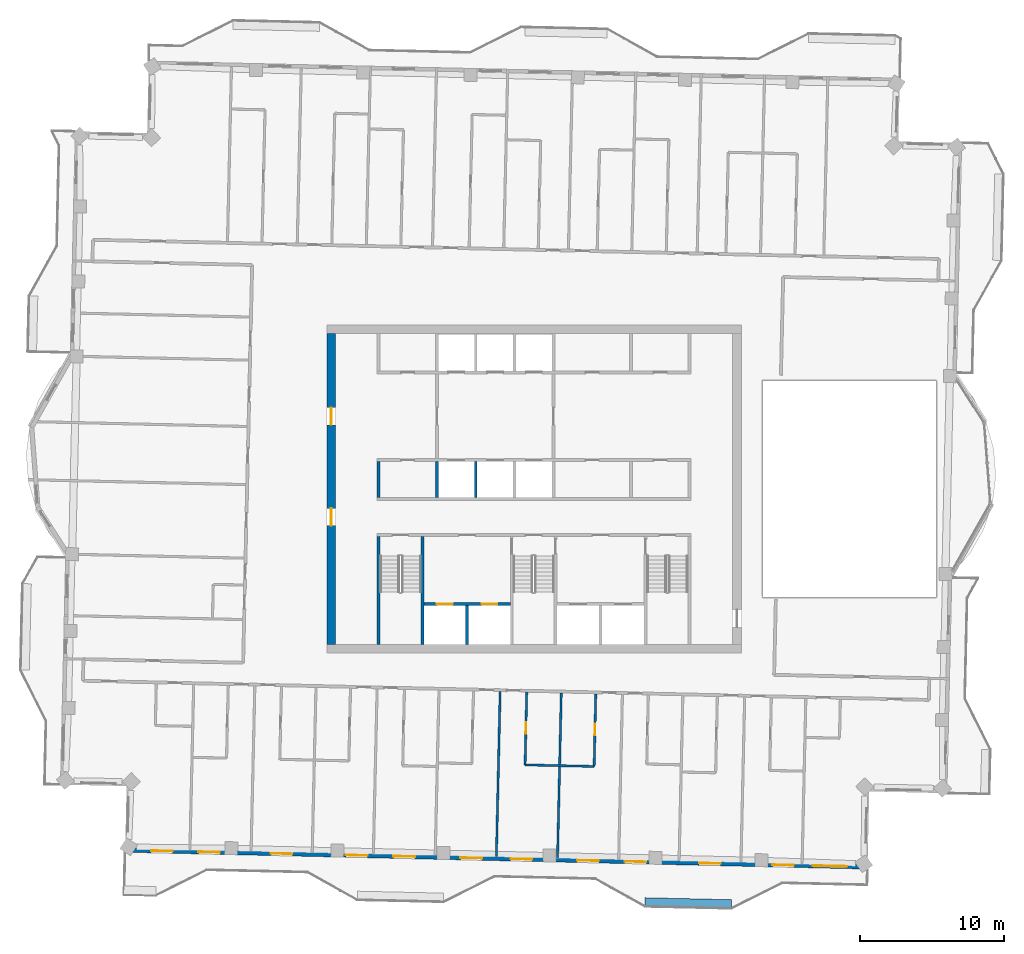
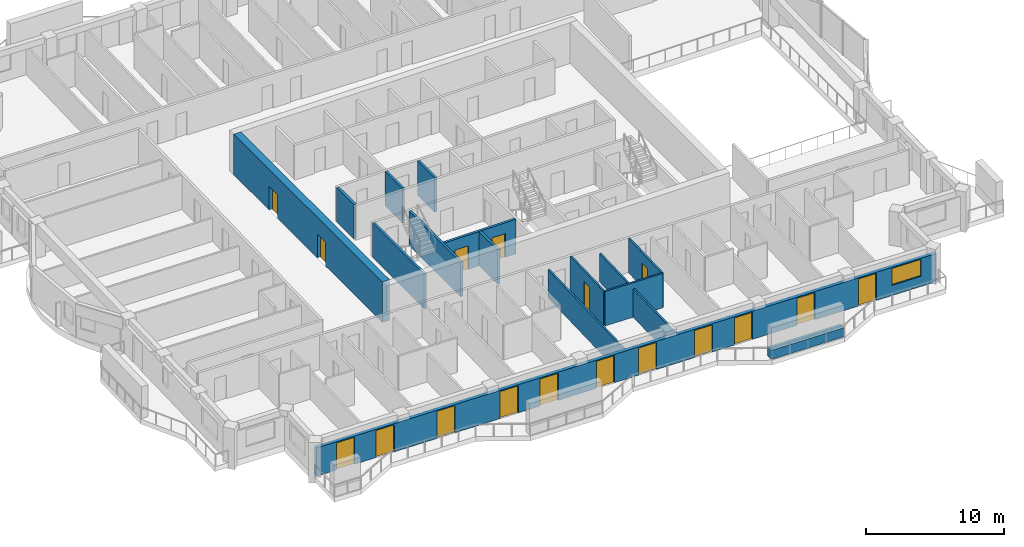
# One storey, part 5 of 15: 17 doors, 15 walls, 1 window, 18 openings.
"""IFC4 building model written with IfcOpenShell, lengths in metres."""

from ifc_helpers import new_model, si_unit, direction, frame, frame_2d, origin, place, context, subcontext, project, spatial, rectangle, extrude, material, layer, layer_set, type_object, element, fill, save


model = new_model("IFC4")

# Units and contexts
model_context = context("Model", 3, precision=1e-05, world=origin(), true_north=direction((0.0, 1.0)))
body_context = subcontext(model_context, "Body", "Model", "MODEL_VIEW")
ifc_project = project(units=[si_unit("LENGTHUNIT", "METRE"), si_unit("AREAUNIT", "SQUARE_METRE"), si_unit("VOLUMEUNIT", "CUBIC_METRE"), si_unit("PLANEANGLEUNIT", "RADIAN"), si_unit("MASSUNIT", "GRAM", prefix="KILO")], contexts=[model_context])

# Site, building, storey
site_placement = place(None, origin())
site = spatial("IfcSite", under=ifc_project, at=site_placement, CompositionType="ELEMENT")
building_placement = place(site_placement, origin())
building = spatial("IfcBuilding", under=site, at=building_placement, Name="Mangrove Gate Tower", CompositionType="ELEMENT")
storey_placement = place(building_placement, frame((0.0, 0.0, 309.699951171875)))
storey = spatial("IfcBuildingStorey", under=building, at=storey_placement, Name="L79", CompositionType="ELEMENT", Elevation=309.699951171875)

# Wall
ifc_material_1 = material(Name="Concrete C32/40", Category="concrete")
ifc_layer_1 = layer(ifc_material_1, 0.199951171875)
ifc_layer_set_1 = layer_set([ifc_layer_1], Name="Core room wall 200 C32/40")
wall_type_1 = type_object("IfcWallType", Name="Core room wall 200 C32/40", PredefinedType="STANDARD", material=ifc_layer_set_1)
wall_1_placement = place(storey_placement, frame((-10.800048828125, -0.60009765625, 0.0), z_axis=(0.0, 0.0, 1.0), x_axis=(0.0, 1.0, 0.0)))
element("IfcWall", 1, at=wall_1_placement, inside=storey, type_object=wall_type_1, Name="WALL-L79-CORE-19", PredefinedType="STANDARD", context=body_context, shape_type="SweptSolid", body=[
    extrude(rectangle(XDim=2.5, YDim=0.199951171875, at=frame_2d((1.25, 0.0))), origin(), (0.0, 0.0, 1.0), 3.050048828125),
])

# Wall, openings, doors
ifc_material_2 = material(Name="Concrete C50/60", Category="concrete")
ifc_layer_2 = layer(ifc_material_2, 0.199951171875)
ifc_layer_set_2 = layer_set([ifc_layer_2], Name="Core shaft wall 200 C50/60")
wall_type_2 = type_object("IfcWallType", Name="Core shaft wall 200 C50/60", PredefinedType="SHEAR", material=ifc_layer_set_2)
wall_2_placement = place(storey_placement, frame((-7.64990234375, -8.0, 0.0), z_axis=(0.0, 0.0, 1.0), x_axis=(1.0, 0.0, 0.0)))
wall_2 = element("IfcWall", 2, at=wall_2_placement, inside=storey, type_object=wall_type_2, Name="WALL-L79-CORE-15", PredefinedType="SHEAR", context=body_context, shape_type="SweptSolid", body=[
    extrude(rectangle(XDim=6.0, YDim=0.199951171875, at=frame_2d((3.0, 0.0))), origin(), (0.0, 0.0, 1.0), 3.050048828125),
])
opening_1_placement = place(wall_2_placement, frame((0.89990234375, 0.0, 0.0)))
opening_1 = element("IfcOpeningElement", 3, at=opening_1_placement, cuts=wall_2, Name="Opening LD", PredefinedType="OPENING", context=body_context, shape_type="SweptSolid", body=[
    extrude(rectangle(XDim=1.10009765625, YDim=2.10009765625, at=frame_2d((0.550048828125, 1.050048828125))), frame((0.0, 0.10986328125, 0.0), z_axis=(0.0, -1.0, 0.0), x_axis=(1.0, 0.0, 0.0)), (0.0, 0.0, 1.0), 0.219970703125),
])
opening_2_placement = place(wall_2_placement, frame((4.0, 0.0, 0.0)))
opening_2 = element("IfcOpeningElement", 4, at=opening_2_placement, cuts=wall_2, Name="Opening LD", PredefinedType="OPENING", context=body_context, shape_type="SweptSolid", body=[
    extrude(rectangle(XDim=1.10009765625, YDim=2.10009765625, at=frame_2d((0.550048828125, 1.050048828125))), frame((0.0, 0.10986328125, 0.0), z_axis=(0.0, -1.0, 0.0), x_axis=(1.0, 0.0, 0.0)), (0.0, 0.0, 1.0), 0.219970703125),
])
ifc_material_3 = material(Name="Stainless steel 316", Category="steel")
door_type_1 = type_object("IfcDoorType", Name="Lift landing door 1100x2100", OperationType="SLIDING_TO_LEFT", PredefinedType="DOOR", material=ifc_material_3)
door_1_placement = place(opening_1_placement, origin())
door_1 = element("IfcDoor", 5, at=door_1_placement, inside=storey, type_object=door_type_1, Name="Landing door LD SVL1", OperationType="SLIDING_TO_LEFT", OverallHeight=2.10009765625, OverallWidth=1.10009765625, PredefinedType="DOOR", context=body_context, shape_type="SweptSolid", body=[
    extrude(rectangle(XDim=1.10009765625, YDim=2.10009765625, at=frame_2d((0.550048828125, 1.050048828125))), frame((0.0, 0.02490234375, 0.0), z_axis=(0.0, -1.0, 0.0), x_axis=(1.0, 0.0, 0.0)), (0.0, 0.0, 1.0), 0.050048828125),
])
fill(opening_1, door_1)
door_2_placement = place(opening_2_placement, origin())
door_2 = element("IfcDoor", 6, at=door_2_placement, inside=storey, type_object=door_type_1, Name="Landing door LD SVL2", OperationType="SLIDING_TO_LEFT", OverallHeight=2.10009765625, OverallWidth=1.10009765625, PredefinedType="DOOR", context=body_context, shape_type="SweptSolid", body=[
    extrude(rectangle(XDim=1.10009765625, YDim=2.10009765625, at=frame_2d((0.550048828125, 1.050048828125))), frame((0.0, 0.02490234375, 0.0), z_axis=(0.0, -1.0, 0.0), x_axis=(1.0, 0.0, 0.0)), (0.0, 0.0, 1.0), 0.050048828125),
])
fill(opening_2, door_2)

# Walls
wall_3_placement = place(storey_placement, frame((-4.64990234375, -10.800048828125, 0.0), z_axis=(0.0, 0.0, 1.0), x_axis=(0.0, 1.0, 0.0)))
element("IfcWall", 7, at=wall_3_placement, inside=storey, type_object=wall_type_2, Name="WALL-L79-CORE-16", PredefinedType="SHEAR", context=body_context, shape_type="SweptSolid", body=[
    extrude(rectangle(XDim=2.699951171875, YDim=0.199951171875, at=frame_2d((1.35009765625, 0.0))), origin(), (0.0, 0.0, 1.0), 3.050048828125),
])
for number, where, z_axis, x_axis, name in (
    (8, (-6.75, -0.60009765625, 0.0), (0.0, 0.0, 1.0), (0.0, 1.0, 0.0), "WALL-L79-CORE-20"),
    (9, (-4.050048828125, -0.60009765625, 0.0), (0.0, 0.0, 1.0), (0.0, 1.0, 0.0), "WALL-L79-CORE-21"),
):
    element("IfcWall", number, at=place(storey_placement, frame(where, z_axis=z_axis, x_axis=x_axis)), inside=storey, type_object=wall_type_2, Name=name, PredefinedType="SHEAR", context=body_context, shape_type="SweptSolid", body=[
        extrude(rectangle(XDim=2.5, YDim=0.199951171875, at=frame_2d((1.25, 0.0))), origin(), (0.0, 0.0, 1.0), 3.050048828125),
    ])
ifc_material_4 = material(Name="Concrete C50/60", Category="concrete")
ifc_layer_3 = layer(ifc_material_4, 0.199951171875)
ifc_layer_set_3 = layer_set([ifc_layer_3], Name="Core stair wall 200 C50/60")
wall_type_3 = type_object("IfcWallType", Name="Core stair wall 200 C50/60", PredefinedType="SHEAR", material=ifc_layer_set_3)
for number, where, z_axis, x_axis, name in (
    (10, (-10.800048828125, -10.800048828125, 0.0), (0.0, 0.0, 1.0), (0.0, 1.0, 0.0), "WALL-L79-CORE-9"),
    (11, (-7.75, -10.800048828125, 0.0), (0.0, 0.0, 1.0), (0.0, 1.0, 0.0), "WALL-L79-CORE-10"),
):
    element("IfcWall", number, at=place(storey_placement, frame(where, z_axis=z_axis, x_axis=x_axis)), inside=storey, type_object=wall_type_3, Name=name, PredefinedType="SHEAR", context=body_context, shape_type="SweptSolid", body=[
        extrude(rectangle(XDim=7.5, YDim=0.199951171875, at=frame_2d((3.75, 0.0))), origin(), (0.0, 0.0, 1.0), 3.050048828125),
    ])

# Wall, openings, doors
ifc_material_5 = material(Name="Concrete C50/60", Category="concrete")
ifc_layer_4 = layer(ifc_material_5, 0.60009765625)
ifc_layer_set_4 = layer_set([ifc_layer_4], Name="Core wall 600 C50/60")
wall_type_4 = type_object("IfcWallType", Name="Core wall 600 C50/60", PredefinedType="SHEAR", material=ifc_layer_set_4)
wall_4_placement = place(storey_placement, frame((-14.10009765625, -10.800048828125, 0.0), z_axis=(0.0, 0.0, 1.0), x_axis=(0.0, 1.0, 0.0)))
wall_4 = element("IfcWall", 12, at=wall_4_placement, inside=storey, type_object=wall_type_4, Name="WALL-L79-CORE-3", PredefinedType="SHEAR", context=body_context, shape_type="SweptSolid", body=[
    extrude(rectangle(XDim=21.60009765625, YDim=0.60009765625, at=frame_2d((10.800048828125, 0.0))), origin(), (0.0, 0.0, 1.0), 3.60009765625),
])
opening_3_placement = place(wall_4_placement, frame((8.25, 0.0, 0.0)))
opening_3 = element("IfcOpeningElement", 13, at=opening_3_placement, cuts=wall_4, Name="Opening CD", PredefinedType="OPENING", context=body_context, shape_type="SweptSolid", body=[
    extrude(rectangle(XDim=1.199951171875, YDim=2.10009765625, at=frame_2d((0.60009765625, 1.050048828125))), frame((0.0, 0.31005859375, 0.0), z_axis=(0.0, -1.0, 0.0), x_axis=(1.0, 0.0, 0.0)), (0.0, 0.0, 1.0), 0.6201171875),
])
opening_4_placement = place(wall_4_placement, frame((15.25, 0.0, 0.0)))
opening_4 = element("IfcOpeningElement", 14, at=opening_4_placement, cuts=wall_4, Name="Opening CD", PredefinedType="OPENING", context=body_context, shape_type="SweptSolid", body=[
    extrude(rectangle(XDim=1.199951171875, YDim=2.10009765625, at=frame_2d((0.60009765625, 1.050048828125))), frame((0.0, 0.31005859375, 0.0), z_axis=(0.0, -1.0, 0.0), x_axis=(1.0, 0.0, 0.0)), (0.0, 0.0, 1.0), 0.6201171875),
])
ifc_material_6 = material(Name="Fire-rated steel door set", Category="steel")
door_type_2 = type_object("IfcDoorType", Name="Core ring door FD60 1200x2100", OperationType="DOUBLE_DOOR_SINGLE_SWING", PredefinedType="DOOR", material=ifc_material_6)
door_3_placement = place(opening_3_placement, origin())
door_3 = element("IfcDoor", 15, at=door_3_placement, inside=storey, type_object=door_type_2, Name="Core ring door W1", OperationType="DOUBLE_DOOR_SINGLE_SWING", OverallHeight=2.10009765625, OverallWidth=1.199951171875, PredefinedType="DOOR", context=body_context, shape_type="SweptSolid", body=[
    extrude(rectangle(XDim=1.199951171875, YDim=2.10009765625, at=frame_2d((0.60009765625, 1.050048828125))), frame((0.0, 0.02490234375, 0.0), z_axis=(0.0, -1.0, 0.0), x_axis=(1.0, 0.0, 0.0)), (0.0, 0.0, 1.0), 0.050048828125),
])
fill(opening_3, door_3)
door_4_placement = place(opening_4_placement, origin())
door_4 = element("IfcDoor", 16, at=door_4_placement, inside=storey, type_object=door_type_2, Name="Core ring door W2", OperationType="DOUBLE_DOOR_SINGLE_SWING", OverallHeight=2.10009765625, OverallWidth=1.199951171875, PredefinedType="DOOR", context=body_context, shape_type="SweptSolid", body=[
    extrude(rectangle(XDim=1.199951171875, YDim=2.10009765625, at=frame_2d((0.60009765625, 1.050048828125))), frame((0.0, 0.02490234375, 0.0), z_axis=(0.0, -1.0, 0.0), x_axis=(1.0, 0.0, 0.0)), (0.0, 0.0, 1.0), 0.050048828125),
])
fill(opening_4, door_4)

# Wall, openings, doors, window
ifc_material_7 = material(Name="Limestone", Category="masonry")
ifc_layer_5 = layer(ifc_material_7, 0.0400390625, Name="Limestone cladding")
ifc_material_8 = material(Name="Ventilated air gap")
ifc_layer_6 = layer(ifc_material_8, 0.0400390625, Name="Ventilated cavity")
ifc_material_9 = material(Name="Mineral wool insulation")
ifc_layer_7 = layer(ifc_material_9, 0.06005859375, Name="Insulation")
ifc_material_10 = material(Name="Breather membrane")
ifc_layer_8 = layer(ifc_material_10, 0.001953125, Name="Breather membrane")
ifc_material_11 = material(Name="Concrete C20/25 blockwork", Category="masonry")
ifc_layer_9 = layer(ifc_material_11, 0.14990234375, Name="Blockwork backing wall")
ifc_material_12 = material(Name="Gypsum plaster")
ifc_layer_10 = layer(ifc_material_12, 0.008056640625, Name="Internal plaster")
ifc_layer_set_5 = layer_set([ifc_layer_5, ifc_layer_6, ifc_layer_7, ifc_layer_8, ifc_layer_9, ifc_layer_10], Name="External wall 300 limestone cladding")
wall_type_5 = type_object("IfcWallType", Name="External wall 300 limestone cladding", PredefinedType="SOLIDWALL", material=ifc_layer_set_5)
wall_5_placement = place(storey_placement, frame((-28.263916015625, -25.10205078125, 0.0), z_axis=(0.0, 0.0, 1.0), x_axis=(0.999742520573, -0.022691244094, 0.0)))
wall_5 = element("IfcWall", 17, at=wall_5_placement, inside=storey, type_object=wall_type_5, Name="WALL-L79-S13", PredefinedType="SOLIDWALL", context=body_context, shape_type="SweptSolid", body=[
    extrude(rectangle(XDim=51.300048828125, YDim=0.300048828125, at=frame_2d((25.64990234375, 0.0))), origin(), (0.0, 0.0, 1.0), 2.5),
])
opening_5_placement = place(wall_5_placement, frame((1.654052734375, 0.0, 0.0)))
opening_5 = element("IfcOpeningElement", 18, at=opening_5_placement, cuts=wall_5, Name="Opening BD1", PredefinedType="OPENING", context=body_context, shape_type="SweptSolid", body=[
    extrude(rectangle(XDim=1.5, YDim=2.39990234375, at=frame_2d((0.75, 1.199951171875))), frame((0.0, 0.159912109375, 0.0), z_axis=(0.0, -1.0, 0.0), x_axis=(1.0, 0.0, 0.0)), (0.0, 0.0, 1.0), 0.320068359375),
])
opening_6_placement = place(wall_5_placement, frame((4.93603515625, 0.0, 0.0)))
opening_6 = element("IfcOpeningElement", 19, at=opening_6_placement, cuts=wall_5, Name="Opening BD1", PredefinedType="OPENING", context=body_context, shape_type="SweptSolid", body=[
    extrude(rectangle(XDim=1.5, YDim=2.39990234375, at=frame_2d((0.75, 1.199951171875))), frame((0.0, 0.159912109375, 0.0), z_axis=(0.0, -1.0, 0.0), x_axis=(1.0, 0.0, 0.0)), (0.0, 0.0, 1.0), 0.320068359375),
])
opening_7_placement = place(wall_5_placement, frame((9.97509765625, 0.0, 0.0)))
opening_7 = element("IfcOpeningElement", 20, at=opening_7_placement, cuts=wall_5, Name="Opening BD1", PredefinedType="OPENING", context=body_context, shape_type="SweptSolid", body=[
    extrude(rectangle(XDim=1.5, YDim=2.39990234375, at=frame_2d((0.75, 1.199951171875))), frame((0.0, 0.159912109375, 0.0), z_axis=(0.0, -1.0, 0.0), x_axis=(1.0, 0.0, 0.0)), (0.0, 0.0, 1.0), 0.320068359375),
])
opening_8_placement = place(wall_5_placement, frame((15.196044921875, 0.0, 0.0)))
opening_8 = element("IfcOpeningElement", 21, at=opening_8_placement, cuts=wall_5, Name="Opening BD1", PredefinedType="OPENING", context=body_context, shape_type="SweptSolid", body=[
    extrude(rectangle(XDim=1.5, YDim=2.39990234375, at=frame_2d((0.75, 1.199951171875))), frame((0.0, 0.159912109375, 0.0), z_axis=(0.0, -1.0, 0.0), x_axis=(1.0, 0.0, 0.0)), (0.0, 0.0, 1.0), 0.320068359375),
])
opening_9_placement = place(wall_5_placement, frame((18.5, 0.0, 0.0)))
opening_9 = element("IfcOpeningElement", 22, at=opening_9_placement, cuts=wall_5, Name="Opening BD1", PredefinedType="OPENING", context=body_context, shape_type="SweptSolid", body=[
    extrude(rectangle(XDim=1.5, YDim=2.39990234375, at=frame_2d((0.75, 1.199951171875))), frame((0.0, 0.159912109375, 0.0), z_axis=(0.0, -1.0, 0.0), x_axis=(1.0, 0.0, 0.0)), (0.0, 0.0, 1.0), 0.320068359375),
])
opening_10_placement = place(wall_5_placement, frame((23.156982421875, 0.0, 0.0)))
opening_10 = element("IfcOpeningElement", 23, at=opening_10_placement, cuts=wall_5, Name="Opening BD1", PredefinedType="OPENING", context=body_context, shape_type="SweptSolid", body=[
    extrude(rectangle(XDim=1.5, YDim=2.39990234375, at=frame_2d((0.75, 1.199951171875))), frame((0.0, 0.159912109375, 0.0), z_axis=(0.0, -1.0, 0.0), x_axis=(1.0, 0.0, 0.0)), (0.0, 0.0, 1.0), 0.320068359375),
])
opening_11_placement = place(wall_5_placement, frame((26.64306640625, 0.0, 0.0)))
opening_11 = element("IfcOpeningElement", 24, at=opening_11_placement, cuts=wall_5, Name="Opening BD1", PredefinedType="OPENING", context=body_context, shape_type="SweptSolid", body=[
    extrude(rectangle(XDim=1.5, YDim=2.39990234375, at=frame_2d((0.75, 1.199951171875))), frame((0.0, 0.159912109375, 0.0), z_axis=(0.0, -1.0, 0.0), x_axis=(1.0, 0.0, 0.0)), (0.0, 0.0, 1.0), 0.320068359375),
])
opening_12_placement = place(wall_5_placement, frame((31.27490234375, 0.0, 0.0)))
opening_12 = element("IfcOpeningElement", 25, at=opening_12_placement, cuts=wall_5, Name="Opening BD1", PredefinedType="OPENING", context=body_context, shape_type="SweptSolid", body=[
    extrude(rectangle(XDim=1.5, YDim=2.39990234375, at=frame_2d((0.75, 1.199951171875))), frame((0.0, 0.159912109375, 0.0), z_axis=(0.0, -1.0, 0.0), x_axis=(1.0, 0.0, 0.0)), (0.0, 0.0, 1.0), 0.320068359375),
])
opening_13_placement = place(wall_5_placement, frame((34.577880859375, 0.0, 0.0)))
opening_13 = element("IfcOpeningElement", 26, at=opening_13_placement, cuts=wall_5, Name="Opening BD1", PredefinedType="OPENING", context=body_context, shape_type="SweptSolid", body=[
    extrude(rectangle(XDim=1.5, YDim=2.39990234375, at=frame_2d((0.75, 1.199951171875))), frame((0.0, 0.159912109375, 0.0), z_axis=(0.0, -1.0, 0.0), x_axis=(1.0, 0.0, 0.0)), (0.0, 0.0, 1.0), 0.320068359375),
])
opening_14_placement = place(wall_5_placement, frame((39.75, 0.0, 0.0)))
opening_14 = element("IfcOpeningElement", 27, at=opening_14_placement, cuts=wall_5, Name="Opening BD1", PredefinedType="OPENING", context=body_context, shape_type="SweptSolid", body=[
    extrude(rectangle(XDim=1.5, YDim=2.39990234375, at=frame_2d((0.75, 1.199951171875))), frame((0.0, 0.159912109375, 0.0), z_axis=(0.0, -1.0, 0.0), x_axis=(1.0, 0.0, 0.0)), (0.0, 0.0, 1.0), 0.320068359375),
])
opening_15_placement = place(wall_5_placement, frame((44.839111328125, 0.0, 0.0)))
opening_15 = element("IfcOpeningElement", 28, at=opening_15_placement, cuts=wall_5, Name="Opening BD1", PredefinedType="OPENING", context=body_context, shape_type="SweptSolid", body=[
    extrude(rectangle(XDim=1.5, YDim=2.39990234375, at=frame_2d((0.75, 1.199951171875))), frame((0.0, 0.159912109375, 0.0), z_axis=(0.0, -1.0, 0.0), x_axis=(1.0, 0.0, 0.0)), (0.0, 0.0, 1.0), 0.320068359375),
])
opening_16_placement = place(wall_5_placement, frame((47.6279296875, 0.0, 0.89990234375)))
opening_16 = element("IfcOpeningElement", 29, at=opening_16_placement, cuts=wall_5, Name="Opening W2", PredefinedType="OPENING", context=body_context, shape_type="SweptSolid", body=[
    extrude(rectangle(XDim=2.39990234375, YDim=1.5, at=frame_2d((1.199951171875, 0.75))), frame((0.0, 0.159912109375, 0.0), z_axis=(0.0, -1.0, 0.0), x_axis=(1.0, 0.0, 0.0)), (0.0, 0.0, 1.0), 0.320068359375),
])
ifc_material_13 = material(Name="Aluminium frame with laminated clear glass", Category="aluminium")
door_type_3 = type_object("IfcDoorType", Name="Balcony sliding door 1500x2400", OperationType="SLIDING_TO_LEFT", PredefinedType="DOOR", material=ifc_material_13)
door_5_placement = place(opening_5_placement, origin())
door_5 = element("IfcDoor", 30, at=door_5_placement, inside=storey, type_object=door_type_3, Name="DOOR-L79-S13-1", OperationType="SLIDING_TO_LEFT", OverallHeight=2.39990234375, OverallWidth=1.5, PredefinedType="DOOR", context=body_context, shape_type="SweptSolid", body=[
    extrude(rectangle(XDim=1.5, YDim=2.39990234375, at=frame_2d((0.75, 1.199951171875))), frame((0.0, 0.02490234375, 0.0), z_axis=(0.0, -1.0, 0.0), x_axis=(1.0, 0.0, 0.0)), (0.0, 0.0, 1.0), 0.050048828125),
])
fill(opening_5, door_5)
door_6_placement = place(opening_6_placement, origin())
door_6 = element("IfcDoor", 31, at=door_6_placement, inside=storey, type_object=door_type_3, Name="DOOR-L79-S13-2", OperationType="SLIDING_TO_LEFT", OverallHeight=2.39990234375, OverallWidth=1.5, PredefinedType="DOOR", context=body_context, shape_type="SweptSolid", body=[
    extrude(rectangle(XDim=1.5, YDim=2.39990234375, at=frame_2d((0.75, 1.199951171875))), frame((0.0, 0.02490234375, 0.0), z_axis=(0.0, -1.0, 0.0), x_axis=(1.0, 0.0, 0.0)), (0.0, 0.0, 1.0), 0.050048828125),
])
fill(opening_6, door_6)
door_7_placement = place(opening_7_placement, origin())
door_7 = element("IfcDoor", 32, at=door_7_placement, inside=storey, type_object=door_type_3, Name="DOOR-L79-S13-3", OperationType="SLIDING_TO_LEFT", OverallHeight=2.39990234375, OverallWidth=1.5, PredefinedType="DOOR", context=body_context, shape_type="SweptSolid", body=[
    extrude(rectangle(XDim=1.5, YDim=2.39990234375, at=frame_2d((0.75, 1.199951171875))), frame((0.0, 0.02490234375, 0.0), z_axis=(0.0, -1.0, 0.0), x_axis=(1.0, 0.0, 0.0)), (0.0, 0.0, 1.0), 0.050048828125),
])
fill(opening_7, door_7)
door_8_placement = place(opening_8_placement, origin())
door_8 = element("IfcDoor", 33, at=door_8_placement, inside=storey, type_object=door_type_3, Name="DOOR-L79-S13-4", OperationType="SLIDING_TO_LEFT", OverallHeight=2.39990234375, OverallWidth=1.5, PredefinedType="DOOR", context=body_context, shape_type="SweptSolid", body=[
    extrude(rectangle(XDim=1.5, YDim=2.39990234375, at=frame_2d((0.75, 1.199951171875))), frame((0.0, 0.02490234375, 0.0), z_axis=(0.0, -1.0, 0.0), x_axis=(1.0, 0.0, 0.0)), (0.0, 0.0, 1.0), 0.050048828125),
])
fill(opening_8, door_8)
door_9_placement = place(opening_9_placement, origin())
door_9 = element("IfcDoor", 34, at=door_9_placement, inside=storey, type_object=door_type_3, Name="DOOR-L79-S13-5", OperationType="SLIDING_TO_LEFT", OverallHeight=2.39990234375, OverallWidth=1.5, PredefinedType="DOOR", context=body_context, shape_type="SweptSolid", body=[
    extrude(rectangle(XDim=1.5, YDim=2.39990234375, at=frame_2d((0.75, 1.199951171875))), frame((0.0, 0.02490234375, 0.0), z_axis=(0.0, -1.0, 0.0), x_axis=(1.0, 0.0, 0.0)), (0.0, 0.0, 1.0), 0.050048828125),
])
fill(opening_9, door_9)
door_10_placement = place(opening_10_placement, origin())
door_10 = element("IfcDoor", 35, at=door_10_placement, inside=storey, type_object=door_type_3, Name="DOOR-L79-S13-6", OperationType="SLIDING_TO_LEFT", OverallHeight=2.39990234375, OverallWidth=1.5, PredefinedType="DOOR", context=body_context, shape_type="SweptSolid", body=[
    extrude(rectangle(XDim=1.5, YDim=2.39990234375, at=frame_2d((0.75, 1.199951171875))), frame((0.0, 0.02490234375, 0.0), z_axis=(0.0, -1.0, 0.0), x_axis=(1.0, 0.0, 0.0)), (0.0, 0.0, 1.0), 0.050048828125),
])
fill(opening_10, door_10)
door_11_placement = place(opening_11_placement, origin())
door_11 = element("IfcDoor", 36, at=door_11_placement, inside=storey, type_object=door_type_3, Name="DOOR-L79-S13-7", OperationType="SLIDING_TO_LEFT", OverallHeight=2.39990234375, OverallWidth=1.5, PredefinedType="DOOR", context=body_context, shape_type="SweptSolid", body=[
    extrude(rectangle(XDim=1.5, YDim=2.39990234375, at=frame_2d((0.75, 1.199951171875))), frame((0.0, 0.02490234375, 0.0), z_axis=(0.0, -1.0, 0.0), x_axis=(1.0, 0.0, 0.0)), (0.0, 0.0, 1.0), 0.050048828125),
])
fill(opening_11, door_11)
door_12_placement = place(opening_12_placement, origin())
door_12 = element("IfcDoor", 37, at=door_12_placement, inside=storey, type_object=door_type_3, Name="DOOR-L79-S13-8", OperationType="SLIDING_TO_LEFT", OverallHeight=2.39990234375, OverallWidth=1.5, PredefinedType="DOOR", context=body_context, shape_type="SweptSolid", body=[
    extrude(rectangle(XDim=1.5, YDim=2.39990234375, at=frame_2d((0.75, 1.199951171875))), frame((0.0, 0.02490234375, 0.0), z_axis=(0.0, -1.0, 0.0), x_axis=(1.0, 0.0, 0.0)), (0.0, 0.0, 1.0), 0.050048828125),
])
fill(opening_12, door_12)
door_13_placement = place(opening_13_placement, origin())
door_13 = element("IfcDoor", 38, at=door_13_placement, inside=storey, type_object=door_type_3, Name="DOOR-L79-S13-9", OperationType="SLIDING_TO_LEFT", OverallHeight=2.39990234375, OverallWidth=1.5, PredefinedType="DOOR", context=body_context, shape_type="SweptSolid", body=[
    extrude(rectangle(XDim=1.5, YDim=2.39990234375, at=frame_2d((0.75, 1.199951171875))), frame((0.0, 0.02490234375, 0.0), z_axis=(0.0, -1.0, 0.0), x_axis=(1.0, 0.0, 0.0)), (0.0, 0.0, 1.0), 0.050048828125),
])
fill(opening_13, door_13)
door_14_placement = place(opening_14_placement, origin())
door_14 = element("IfcDoor", 39, at=door_14_placement, inside=storey, type_object=door_type_3, Name="DOOR-L79-S13-10", OperationType="SLIDING_TO_LEFT", OverallHeight=2.39990234375, OverallWidth=1.5, PredefinedType="DOOR", context=body_context, shape_type="SweptSolid", body=[
    extrude(rectangle(XDim=1.5, YDim=2.39990234375, at=frame_2d((0.75, 1.199951171875))), frame((0.0, 0.02490234375, 0.0), z_axis=(0.0, -1.0, 0.0), x_axis=(1.0, 0.0, 0.0)), (0.0, 0.0, 1.0), 0.050048828125),
])
fill(opening_14, door_14)
door_15_placement = place(opening_15_placement, origin())
door_15 = element("IfcDoor", 40, at=door_15_placement, inside=storey, type_object=door_type_3, Name="DOOR-L79-S13-11", OperationType="SLIDING_TO_LEFT", OverallHeight=2.39990234375, OverallWidth=1.5, PredefinedType="DOOR", context=body_context, shape_type="SweptSolid", body=[
    extrude(rectangle(XDim=1.5, YDim=2.39990234375, at=frame_2d((0.75, 1.199951171875))), frame((0.0, 0.02490234375, 0.0), z_axis=(0.0, -1.0, 0.0), x_axis=(1.0, 0.0, 0.0)), (0.0, 0.0, 1.0), 0.050048828125),
])
fill(opening_15, door_15)
ifc_material_14 = material(Name="Aluminium frame with double-glazed low-e glass", Category="aluminium")
window_type = type_object("IfcWindowType", Name="Corner room window 2400x1500", PartitioningType="DOUBLE_PANEL_VERTICAL", PredefinedType="WINDOW", material=ifc_material_14)
window_placement = place(opening_16_placement, origin())
window = element("IfcWindow", 41, at=window_placement, inside=storey, type_object=window_type, Name="WIN-L79-S13-12", OverallHeight=1.5, OverallWidth=2.39990234375, PartitioningType="DOUBLE_PANEL_VERTICAL", PredefinedType="WINDOW", context=body_context, shape_type="SweptSolid", body=[
    extrude(rectangle(XDim=2.39990234375, YDim=1.5, at=frame_2d((1.199951171875, 0.75))), frame((0.0, 0.030029296875, 0.0), z_axis=(0.0, -1.0, 0.0), x_axis=(1.0, 0.0, 0.0)), (0.0, 0.0, 1.0), 0.06005859375),
])
fill(opening_16, window)

# Walls
ifc_material_15 = material(Name="Gypsum board on steel stud, EI 60", Category="steel")
ifc_layer_11 = layer(ifc_material_15, 0.14990234375)
ifc_layer_set_6 = layer_set([ifc_layer_11], Name="Party wall 150 EI 60")
wall_type_6 = type_object("IfcWallType", Name="Party wall 150 EI 60", PredefinedType="PARTITIONING", material=ifc_layer_set_6)
wall_6_placement = place(storey_placement, frame((-2.616943359375, -25.533935546875, 0.0), z_axis=(0.0, 0.0, 1.0), x_axis=(0.022708327922, 0.999742132674, 0.0)))
element("IfcWall", 42, at=wall_6_placement, inside=storey, type_object=wall_type_6, Name="WALL-L79-006", PredefinedType="PARTITIONING", context=body_context, shape_type="SweptSolid", body=[
    extrude(rectangle(XDim=11.449951171875, YDim=0.14990234375, at=frame_2d((5.72509765625, 0.0))), origin(), (0.0, 0.0, 1.0), 2.5),
])
wall_7_placement = place(storey_placement, frame((1.632080078125, -25.6298828125, 0.0), z_axis=(0.0, 0.0, 1.0), x_axis=(0.022708812003, 0.999742121678, 0.0)))
element("IfcWall", 43, at=wall_7_placement, inside=storey, type_object=wall_type_6, Name="WALL-L79-007", PredefinedType="PARTITIONING", context=body_context, shape_type="SweptSolid", body=[
    extrude(rectangle(XDim=11.44970703125, YDim=0.14990234375, at=frame_2d((5.724853515625, 0.0))), origin(), (0.0, 0.0, 1.0), 2.5),
])
wall_8_placement = place(storey_placement, frame((-0.6220703125, -19.177978515625, 0.0), z_axis=(0.0, 0.0, 1.0), x_axis=(0.999747191239, -0.022484519337, 0.0)))
element("IfcWall", 44, at=wall_8_placement, inside=storey, type_object=wall_type_6, Name="WALL-L79-023", PredefinedType="PARTITIONING", context=body_context, shape_type="SweptSolid", body=[
    extrude(rectangle(XDim=4.79931640625, YDim=0.14990234375, at=frame_2d((2.399658203125, 0.0))), origin(), (0.0, 0.0, 1.0), 3.050048828125),
])

# Wall, opening, door
wall_9_placement = place(storey_placement, frame((-0.6220703125, -19.177978515625, 0.0), z_axis=(0.0, 0.0, 1.0), x_axis=(0.02257535817, 0.999745144126, 0.0)))
wall_9 = element("IfcWall", 45, at=wall_9_placement, inside=storey, type_object=wall_type_6, Name="WALL-L79-024", PredefinedType="PARTITIONING", context=body_context, shape_type="SweptSolid", body=[
    extrude(rectangle(XDim=5.05029296875, YDim=0.14990234375, at=frame_2d((2.525146484375, 0.0))), origin(), (0.0, 0.0, 1.0), 3.050048828125),
])
opening_17_placement = place(wall_9_placement, frame((2.175048828125, 0.0, 0.0)))
opening_17 = element("IfcOpeningElement", 46, at=opening_17_placement, cuts=wall_9, Name="Opening ED", PredefinedType="OPENING", context=body_context, shape_type="SweptSolid", body=[
    extrude(rectangle(XDim=0.800048828125, YDim=2.10009765625, at=frame_2d((0.39990234375, 1.050048828125))), frame((0.0, 0.0849609375, 0.0), z_axis=(0.0, -1.0, 0.0), x_axis=(1.0, 0.0, 0.0)), (0.0, 0.0, 1.0), 0.169921875),
])
ifc_material_16 = material(Name="Timber door leaf", Category="wood")
door_type_4 = type_object("IfcDoorType", Name="En-suite door 800", OperationType="SINGLE_SWING_LEFT", PredefinedType="DOOR", material=ifc_material_16)
door_16_placement = place(opening_17_placement, origin())
door_16 = element("IfcDoor", 47, at=door_16_placement, inside=storey, type_object=door_type_4, Name="DOOR-L79-ENS-c206", OperationType="SINGLE_SWING_RIGHT", OverallHeight=2.10009765625, OverallWidth=0.800048828125, PredefinedType="DOOR", context=body_context, shape_type="SweptSolid", body=[
    extrude(rectangle(XDim=0.800048828125, YDim=2.10009765625, at=frame_2d((0.39990234375, 1.050048828125))), frame((0.0, 0.02490234375, 0.0), z_axis=(0.0, -1.0, 0.0), x_axis=(1.0, 0.0, 0.0)), (0.0, 0.0, 1.0), 0.050048828125),
])
fill(opening_17, door_16)

wall_10_placement = place(storey_placement, frame((4.176025390625, -19.285888671875, 0.0), z_axis=(0.0, 0.0, 1.0), x_axis=(0.022774126501, 0.999740635946, 0.0)))
wall_10 = element("IfcWall", 48, at=wall_10_placement, inside=storey, type_object=wall_type_6, Name="WALL-L79-025", PredefinedType="PARTITIONING", context=body_context, shape_type="SweptSolid", body=[
    extrude(rectangle(XDim=5.049072265625, YDim=0.14990234375, at=frame_2d((2.5244140625, 0.0))), origin(), (0.0, 0.0, 1.0), 3.050048828125),
])
opening_18_placement = place(wall_10_placement, frame((2.175048828125, 0.0, 0.0)))
opening_18 = element("IfcOpeningElement", 49, at=opening_18_placement, cuts=wall_10, Name="Opening ED", PredefinedType="OPENING", context=body_context, shape_type="SweptSolid", body=[
    extrude(rectangle(XDim=0.800048828125, YDim=2.10009765625, at=frame_2d((0.39990234375, 1.050048828125))), frame((0.0, 0.0849609375, 0.0), z_axis=(0.0, -1.0, 0.0), x_axis=(1.0, 0.0, 0.0)), (0.0, 0.0, 1.0), 0.169921875),
])
door_17_placement = place(opening_18_placement, origin())
door_17 = element("IfcDoor", 50, at=door_17_placement, inside=storey, type_object=door_type_4, Name="DOOR-L79-ENS-c207", OperationType="SINGLE_SWING_LEFT", OverallHeight=2.10009765625, OverallWidth=0.800048828125, PredefinedType="DOOR", context=body_context, shape_type="SweptSolid", body=[
    extrude(rectangle(XDim=0.800048828125, YDim=2.10009765625, at=frame_2d((0.39990234375, 1.050048828125))), frame((0.0, 0.02490234375, 0.0), z_axis=(0.0, -1.0, 0.0), x_axis=(1.0, 0.0, 0.0)), (0.0, 0.0, 1.0), 0.050048828125),
])
fill(opening_18, door_17)

# Wall
ifc_material_17 = material(Name="Concrete C32/40", Category="concrete")
ifc_layer_12 = layer(ifc_material_17, 0.199951171875, Name="Planter trough wall")
ifc_material_18 = material(Name="Bituminous waterproofing membrane")
ifc_layer_13 = layer(ifc_material_18, 0.0048828125, Name="Waterproofing")
ifc_material_19 = material(Name="Drainage board and gravel")
ifc_layer_14 = layer(ifc_material_19, 0.044921875, Name="Drainage layer")
ifc_material_20 = material(Name="Planting soil")
ifc_layer_15 = layer(ifc_material_20, 0.300048828125, Name="Growing medium")
ifc_layer_set_7 = layer_set([ifc_layer_12, ifc_layer_13, ifc_layer_14, ifc_layer_15], Name="Planter wall 550 C32/40")
wall_type_7 = type_object("IfcWallType", Name="Planter wall 550 C32/40", PredefinedType="USERDEFINED", material=ifc_layer_set_7)
wall_11_placement = place(storey_placement, frame((7.714111328125, -28.68408203125, 0.0), z_axis=(0.0, 0.0, 1.0), x_axis=(0.999743073592, -0.022666865795, 0.0)))
element("IfcWall", 51, at=wall_11_placement, inside=storey, type_object=wall_type_7, Name="PLANTER L79 S1.1", ObjectType="PLANTER", PredefinedType="USERDEFINED", context=body_context, shape_type="SweptSolid", body=[
    extrude(rectangle(XDim=5.999267578125, YDim=0.550048828125, at=frame_2d((2.99951171875, 0.0))), origin(), (0.0, 0.0, 1.0), 0.800048828125),
])

save(model, "model.ifc")
